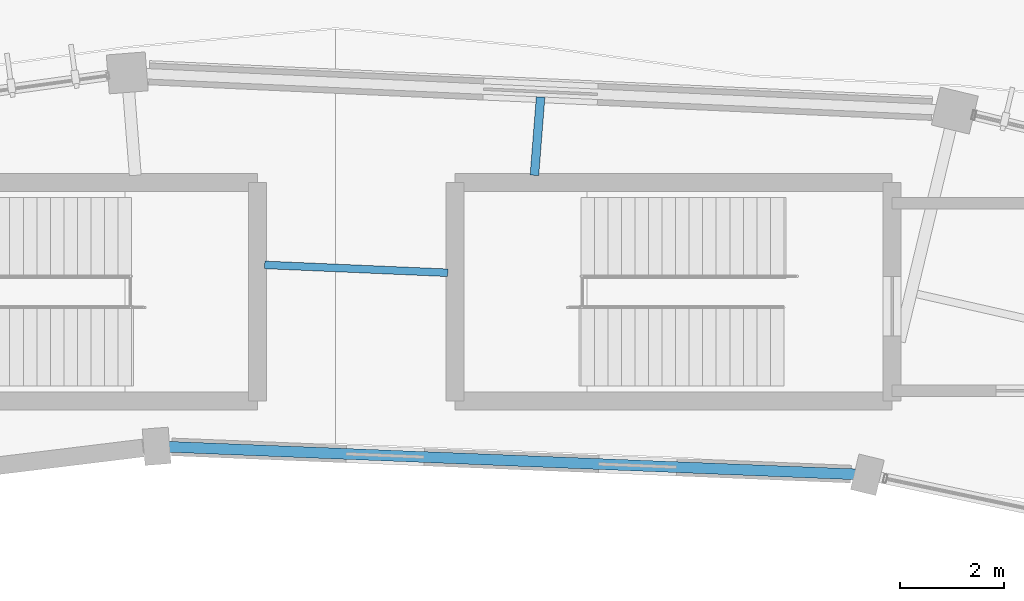
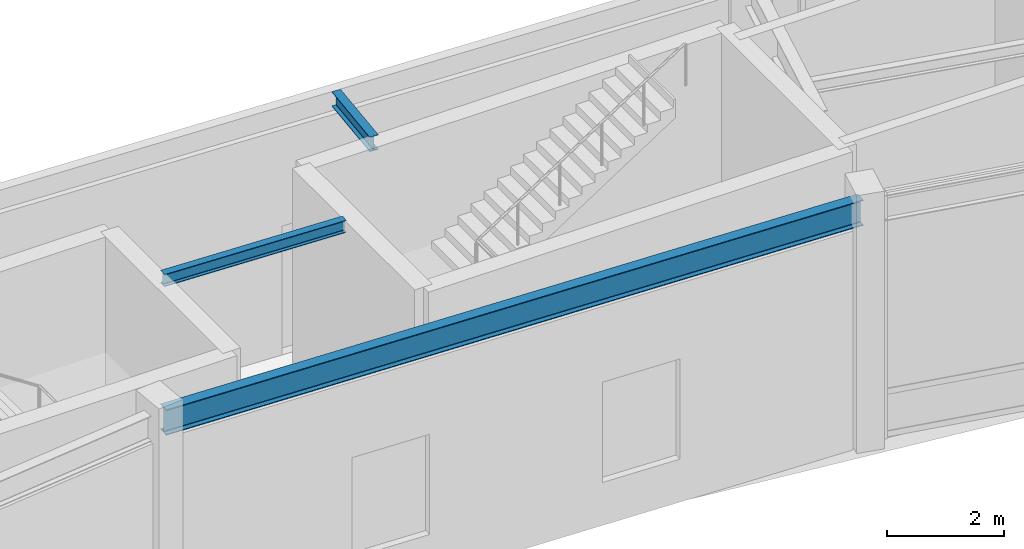
# One storey, part 74 of 157: 3 beams.
"""IFC4 building model written with IfcOpenShell, lengths in metres."""

import ifcopenshell
import ifcopenshell.guid

model = None  # the IFC model being written
_history = None  # IfcOwnerHistory: only IFC2X3 demands one
_inside = {}  # id of a spatial element -> (the spatial element, [elements in it])
_under = {}  # id of a project, library or spatial element -> (it, [spatial elements below it])
_declared = {}  # id of a project -> (the project, [libraries it declares])
_typed = {}  # id of a type object -> (the type object, [elements of that type])
_made_of = {}  # id of a material, layer set ... -> (it, [elements and type objects made of it])


def new_model(schema):
    """Start an empty IFC model of exactly this schema.

    Asked for "IFC4X3", IfcOpenShell would pick the latest addendum, in which some entities
    have other attributes; the version numbers below select the first issue.
    IFC2X3 requires an IfcOwnerHistory on every rooted entity: one is made here for all.
    """
    global model, _history
    if schema == "IFC4X3":
        model = ifcopenshell.file(schema_version=(4, 3, 0, 0))
    else:
        model = ifcopenshell.file(schema=schema)
    _inside.clear()
    _under.clear()
    _declared.clear()
    _typed.clear()
    _made_of.clear()
    _history = None
    if model.schema == "IFC2X3":
        org = make("IfcOrganization", Name="unknown")
        user = make(
            "IfcPersonAndOrganization",
            ThePerson=make("IfcPerson", FamilyName="unknown"),
            TheOrganization=org,
        )
        app = make(
            "IfcApplication",
            ApplicationDeveloper=org,
            Version="unknown",
            ApplicationFullName="unknown",
            ApplicationIdentifier="unknown",
        )
        _history = make(
            "IfcOwnerHistory",
            OwningUser=user,
            OwningApplication=app,
            ChangeAction="ADDED",
            CreationDate=0,
        )
    return model


def make(cls, **values):
    """One entity of the class cls with the attributes given. An attribute that is None is left unset."""
    return model.create_entity(
        cls, **{name: value for name, value in values.items() if value is not None}
    )


def rooted(cls, **values):
    """An entity with a GlobalId (a new one), such as an element, a storey or a relation."""
    return make(cls, GlobalId=ifcopenshell.guid.new(), OwnerHistory=_history, **values)


def si_unit(unit_type, name, prefix=None):
    """IfcSIUnit, for example si_unit("LENGTHUNIT", "METRE", prefix="MILLI")."""
    return make("IfcSIUnit", UnitType=unit_type, Prefix=prefix, Name=name)


def assignment(units):
    """IfcUnitAssignment: the units of a project."""
    return None if units is None else make("IfcUnitAssignment", Units=units)


def point(xyz):
    """IfcCartesianPoint."""
    return None if xyz is None else make("IfcCartesianPoint", Coordinates=xyz)


def direction(xyz):
    """IfcDirection."""
    return None if xyz is None else make("IfcDirection", DirectionRatios=xyz)


def frame(location, z_axis=None, x_axis=None):
    """IfcAxis2Placement3D, a coordinate frame: its origin and axes. An axis left out is left unset."""
    return make(
        "IfcAxis2Placement3D",
        Location=point(location),
        Axis=direction(z_axis),
        RefDirection=direction(x_axis),
    )


def frame_2d(location, x_axis=None):
    """IfcAxis2Placement2D, a coordinate frame in the plane: its origin and x axis."""
    return make(
        "IfcAxis2Placement2D", Location=point(location), RefDirection=direction(x_axis)
    )


def origin():
    """The frame at (0, 0, 0) with its axes left unset."""
    return frame((0.0, 0.0, 0.0))


def origin_2d():
    """The frame at (0, 0) in the plane with its x axis left unset."""
    return frame_2d((0.0, 0.0))


def place(relative_to, where):
    """IfcLocalPlacement: puts the frame where relative to a parent placement (None: the world)."""
    return make(
        "IfcLocalPlacement", PlacementRelTo=relative_to, RelativePlacement=where
    )


def context(
    kind, dimensions, precision=None, world=None, true_north=None, identifier=None
):
    """IfcGeometricRepresentationContext, for example the 3D "Model" context."""
    return make(
        "IfcGeometricRepresentationContext",
        ContextIdentifier=identifier,
        ContextType=kind,
        CoordinateSpaceDimension=dimensions,
        Precision=precision,
        WorldCoordinateSystem=world,
        TrueNorth=true_north,
    )


def subcontext(parent, identifier, kind, view, scale=None):
    """IfcGeometricRepresentationSubContext, for example "Body" below "Model"."""
    return make(
        "IfcGeometricRepresentationSubContext",
        ContextIdentifier=identifier,
        ContextType=kind,
        ParentContext=parent,
        TargetScale=scale,
        TargetView=view,
    )


def project(units=None, contexts=None):
    """IfcProject with its units and contexts."""
    return rooted(
        "IfcProject",
        Name="project",
        RepresentationContexts=contexts,
        UnitsInContext=assignment(units),
    )


def spatial(cls, under=None, at=None, **own):
    """A site, building, storey or space (cls), placed at a placement, below another one or the project."""
    s = rooted(cls, ObjectPlacement=at, **own)
    if under is not None:
        _under.setdefault(under.id(), (under, []))[1].append(s)
    return s


def profile(cls, at=None, kind="AREA", **sizes):
    """A parametric profile (cls). Its sizes go by their IFC names, for example OverallWidth=200.0."""
    return make(cls, ProfileType=kind, Position=at, **sizes)


def i_section(**sizes):
    """IfcIShapeProfileDef."""
    return profile("IfcIShapeProfileDef", **sizes)


def extrude(swept, where, along, depth):
    """IfcExtrudedAreaSolid: the profile swept, set in the frame where, extruded along a direction by depth."""
    return make(
        "IfcExtrudedAreaSolid",
        SweptArea=swept,
        Position=where,
        ExtrudedDirection=direction(along),
        Depth=depth,
    )


def shape(context_of_items, identifier, shape_type, items):
    """IfcShapeRepresentation: the items that make up one representation, for example the "Body"."""
    return make(
        "IfcShapeRepresentation",
        ContextOfItems=context_of_items,
        RepresentationIdentifier=identifier,
        RepresentationType=shape_type,
        Items=items,
    )


def material(Name=None, Category=None):
    """IfcMaterial."""
    return make("IfcMaterial", Name=Name, Category=Category)


def material_profile(
    of_material, cross_section, Name=None, Category=None, Priority=None
):
    """IfcMaterialProfile: a cross section and its material."""
    return make(
        "IfcMaterialProfile",
        Name=Name,
        Material=of_material,
        Profile=cross_section,
        Priority=Priority,
        Category=Category,
    )


def profile_set(profiles, Name=None, composite=None):
    """IfcMaterialProfileSet."""
    return make(
        "IfcMaterialProfileSet",
        Name=Name,
        MaterialProfiles=profiles,
        CompositeProfile=composite,
    )


def made_of(thing, what):
    """Note that an element or type object is made of a material, layer set ...; save() writes the relation."""
    if what is not None:
        _made_of.setdefault(what.id(), (what, []))[1].append(thing)
    return thing


def type_object(cls, material=None, **own):
    """A type object (cls), such as IfcWallType, which elements share."""
    return made_of(rooted(cls, **own), material)


def element(
    cls,
    number,
    at=None,
    inside=None,
    cuts=None,
    type_object=None,
    material=None,
    context=None,
    identifier="Body",
    shape_type=None,
    held_by="IfcProductDefinitionShape",
    body=None,
    shapes=None,
    **own,
):
    """One element of the class cls, such as IfcWall. Its Tag is "e" and its number.

    at: its placement. inside: the storey or other place that contains it. cuts: it is an
    opening in that element (IfcRelVoidsElement). A single representation is given by context,
    identifier, shape_type and body (its items); several are given by shapes. held_by: the class
    of the entity that holds the representations. save() writes the other relations.
    """
    e = rooted(cls, Tag="e%d" % number, ObjectPlacement=at, **own)
    if body is not None:
        shapes = [shape(context, identifier, shape_type, body)]
    if shapes is not None:
        e.Representation = make(held_by, Representations=shapes)
    if inside is not None:
        _inside.setdefault(inside.id(), (inside, []))[1].append(e)
    if cuts is not None:
        rooted(
            "IfcRelVoidsElement", RelatingBuildingElement=cuts, RelatedOpeningElement=e
        )
    if type_object is not None:
        _typed.setdefault(type_object.id(), (type_object, []))[1].append(e)
    return made_of(e, material)


def aggregate(whole, parts):
    """IfcRelAggregates: a whole, such as a stair, and the parts it consists of."""
    return rooted("IfcRelAggregates", RelatingObject=whole, RelatedObjects=parts)


def save(model, path):
    """Write the relations noted so far, then the file.

    IfcRelAggregates (storeys below a building ...), IfcRelContainedInSpatialStructure (elements
    in a storey), IfcRelDefinesByType, IfcRelAssociatesMaterial and IfcRelDeclares: one each for
    every whole, place, type object, material and project.
    """
    for whole, parts in _under.values():
        aggregate(whole, parts)
    for where, things in _inside.values():
        rooted(
            "IfcRelContainedInSpatialStructure",
            RelatedElements=things,
            RelatingStructure=where,
        )
    for kind, things in _typed.values():
        rooted("IfcRelDefinesByType", RelatedObjects=things, RelatingType=kind)
    for what, things in _made_of.values():
        rooted("IfcRelAssociatesMaterial", RelatedObjects=things, RelatingMaterial=what)
    for by, libraries in _declared.values():
        rooted("IfcRelDeclares", RelatingContext=by, RelatedDefinitions=libraries)
    model.write(path)


model = new_model("IFC4")

# Units and contexts
model_context = context("Model", 3, precision=1e-05, world=origin(), true_north=direction((0.0, 1.0)))
body_context = subcontext(model_context, "Body", "Model", "MODEL_VIEW")
ifc_project = project(units=[si_unit("LENGTHUNIT", "METRE"), si_unit("AREAUNIT", "SQUARE_METRE"), si_unit("VOLUMEUNIT", "CUBIC_METRE"), si_unit("PLANEANGLEUNIT", "RADIAN"), si_unit("MASSUNIT", "GRAM", prefix="KILO"), si_unit("THERMODYNAMICTEMPERATUREUNIT", "KELVIN"), si_unit("POWERUNIT", "WATT")], contexts=[model_context])

# Site, building, storey
site_placement = place(None, origin())
site = spatial("IfcSite", under=ifc_project, at=site_placement, CompositionType="ELEMENT")
building_placement = place(site_placement, origin())
building = spatial("IfcBuilding", under=site, at=building_placement, Name="Darbajah Civic Hall", CompositionType="ELEMENT")
storey_placement = place(building_placement, origin())
storey = spatial("IfcBuildingStorey", under=building, at=storey_placement, Name="L00", CompositionType="ELEMENT", Elevation=0.0)

# Beams
ifc_material = material(Name="Steel S355JR", Category="steel")
ifc_material_profile_1 = material_profile(ifc_material, i_section(OverallWidth=0.146484375, OverallDepth=0.256103515625, WebThickness=0.00634765625, FlangeThickness=0.010986328125, FilletRadius=0.007568359375, at=origin_2d()), Name="UB 254x146x37")
ifc_profile_set_1 = profile_set([ifc_material_profile_1], Name="Steel S355JR")
beam_type_1 = type_object("IfcBeamType", Name="UB 254x146x37", PredefinedType="JOIST", material=ifc_profile_set_1)
beam_1_placement = place(storey_placement, frame((91.260009765625, 115.3671875, 4.991943359375), z_axis=(-0.999073726109, 0.043031265357, 0.0), x_axis=(-0.043031265357, -0.999073726109, 0.0)))
element("IfcBeam", 1, at=beam_1_placement, inside=storey, type_object=beam_type_1, Name="L00 beam SJ-254", PredefinedType="JOIST", context=body_context, shape_type="SweptSolid", body=[
    extrude(i_section(OverallWidth=0.146484375, OverallDepth=0.256103515625, WebThickness=0.00634765625, FlangeThickness=0.010986328125, FilletRadius=0.007568359375, at=origin_2d()), origin(), (0.0, 0.0, 1.0), 3.523193359375),
])
ifc_material_profile_2 = material_profile(ifc_material, i_section(OverallWidth=0.165771484375, OverallDepth=0.306640625, WebThickness=0.006591796875, FlangeThickness=0.01171875, FilletRadius=0.0087890625, at=origin_2d()), Name="UB 305x165x46")
ifc_profile_set_2 = profile_set([ifc_material_profile_2], Name="Steel S355JR")
beam_type_2 = type_object("IfcBeamType", Name="UB 305x165x46", PredefinedType="JOIST", material=ifc_profile_set_2)
beam_2_placement = place(storey_placement, frame((92.925537109375, 117.239990234375, 4.966796875), z_axis=(0.078575634668, 0.996908155066, 0.0), x_axis=(-0.996908155066, 0.078575634668, 0.0)))
element("IfcBeam", 2, at=beam_2_placement, inside=storey, type_object=beam_type_2, Name="L00 beam SJ-305", PredefinedType="JOIST", context=body_context, shape_type="SweptSolid", body=[
    extrude(i_section(OverallWidth=0.165771484375, OverallDepth=0.306640625, WebThickness=0.006591796875, FlangeThickness=0.01171875, FilletRadius=0.0087890625, at=origin_2d()), origin(), (0.0, 0.0, 1.0), 1.510009765625),
])
ifc_material_profile_3 = material_profile(ifc_material, i_section(OverallWidth=0.209228515625, OverallDepth=0.533203125, WebThickness=0.010009765625, FlangeThickness=0.015625, FilletRadius=0.0126953125, at=origin_2d()), Name="UB 533x210x92")
ifc_profile_set_3 = profile_set([ifc_material_profile_3], Name="Steel S355JR")
beam_type_3 = type_object("IfcBeamType", Name="UB 533x210x92", PredefinedType="BEAM", material=ifc_profile_set_3)
beam_3_placement = place(storey_placement, frame((99.2451171875, 111.487060546875, 4.853515625), z_axis=(-0.999198156642, 0.040038028952, 0.0), x_axis=(-0.040038028952, -0.999198156642, 0.0)))
element("IfcBeam", 3, at=beam_3_placement, inside=storey, type_object=beam_type_3, Name="L00 beam SB-533", PredefinedType="BEAM", context=body_context, shape_type="SweptSolid", body=[
    extrude(i_section(OverallWidth=0.209228515625, OverallDepth=0.533203125, WebThickness=0.010009765625, FlangeThickness=0.015625, FilletRadius=0.0126953125, at=origin_2d()), origin(), (0.0, 0.0, 1.0), 13.512451171875),
])

save(model, "model.ifc")
